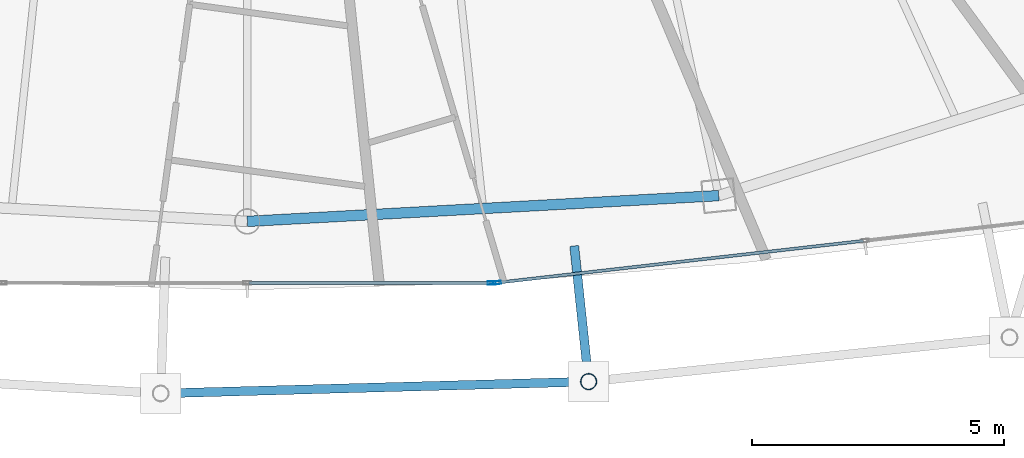
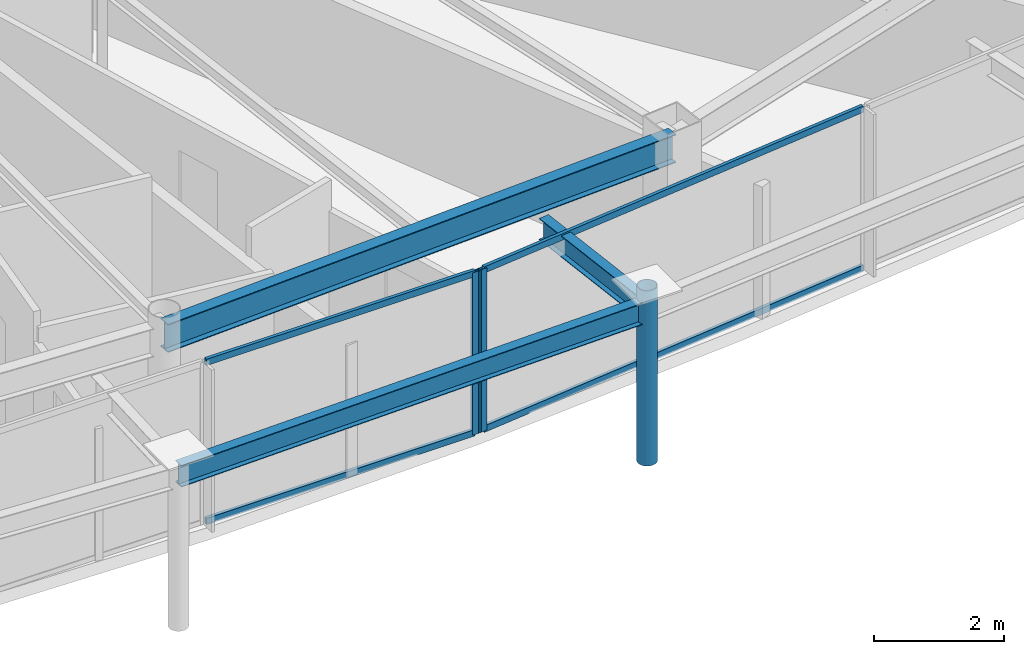
# One storey, part 8 of 28: 7 members, 3 beams, 2 elements without a shape of their own.
"""IFC4 building model written with IfcOpenShell, lengths in metres."""

from ifc_helpers import new_model, si_unit, direction, frame, origin, origin_2d, place, context, subcontext, project, spatial, hollow_rectangle, hollow_circle, i_section, extrude, material, layer, layer_set, material_profile, profile_set, type_object, element, aggregate, save


model = new_model("IFC4")

# Units and contexts
model_context = context("Model", 3, precision=1e-05, world=origin(), true_north=direction((0.0, 1.0)))
body_context = subcontext(model_context, "Body", "Model", "MODEL_VIEW")
ifc_project = project(units=[si_unit("LENGTHUNIT", "METRE"), si_unit("AREAUNIT", "SQUARE_METRE"), si_unit("VOLUMEUNIT", "CUBIC_METRE"), si_unit("PLANEANGLEUNIT", "RADIAN"), si_unit("MASSUNIT", "GRAM", prefix="KILO")], contexts=[model_context])

# Site, building, storey
site_placement = place(None, origin())
site = spatial("IfcSite", under=ifc_project, at=site_placement, CompositionType="ELEMENT")
building_placement = place(site_placement, origin())
building = spatial("IfcBuilding", under=site, at=building_placement, Name="Orvanel Arch Residences", CompositionType="ELEMENT")
storey_placement = place(building_placement, frame((0.0, 0.0, 266.75)))
storey = spatial("IfcBuildingStorey", under=building, at=storey_placement, Name="L76", CompositionType="ELEMENT", Elevation=266.75)

# Curtain wall, member
ifc_material_1 = material(Name="Bronze-anodised aluminium AA6063-T6", Category="aluminium")
ifc_layer = layer(ifc_material_1, 0.175048828125)
ifc_layer_set = layer_set([ifc_layer], Name="Bronze-anodised aluminium AA6063-T6")
curtain_wall_type = type_object("IfcCurtainWallType", Name="CW4-HI-SYS", PredefinedType="NOTDEFINED", material=ifc_layer_set)
curtain_wall_1_placement = place(storey_placement, origin())
curtain_wall_1 = element("IfcCurtainWall", 1, at=curtain_wall_1_placement, inside=storey, type_object=curtain_wall_type, Name="L76 CW4-HI-SYS Unitised Curtain Wall", PredefinedType="NOTDEFINED")
ifc_material_profile_1 = material_profile(ifc_material_1, hollow_rectangle(XDim=0.06494140625, YDim=0.159912109375, WallThickness=0.00390625, at=origin_2d()), Name="ALU160x65x4")
ifc_profile_set_1 = profile_set([ifc_material_profile_1], Name="Bronze-anodised aluminium AA6063-T6")
member_type_1 = type_object("IfcMemberType", Name="MUL-160x65", PredefinedType="MULLION", material=ifc_profile_set_1)
member_1_placement = place(storey_placement, frame((37.848388671875, 5.6220703125, 0.0), z_axis=(0.0, 0.0, 1.0), x_axis=(0.0, 1.0, 0.0)))
member_1 = element("IfcMember", 2, at=member_1_placement, type_object=member_type_1, Name="CW-S4 mullion 3", PredefinedType="MULLION", context=body_context, shape_type="SweptSolid", body=[
    extrude(hollow_rectangle(XDim=0.06494140625, YDim=0.159912109375, WallThickness=0.00390625, at=origin_2d()), origin(), (0.0, 0.0, 1.0), 3.06005859375),
])

curtain_wall_2_placement = place(storey_placement, origin())
curtain_wall_2 = element("IfcCurtainWall", 3, at=curtain_wall_2_placement, inside=storey, type_object=curtain_wall_type, Name="L76 CW4-HI-SYS Unitised Curtain Wall", PredefinedType="NOTDEFINED")
member_2_placement = place(storey_placement, frame((37.953369140625, 5.627685546875, 0.0), z_axis=(0.0, 0.0, 1.0), x_axis=(-0.113510277415, 0.993536822126, 0.0)))
member_2 = element("IfcMember", 4, at=member_2_placement, type_object=member_type_1, Name="CW-S4 mullion 1", PredefinedType="MULLION", context=body_context, shape_type="SweptSolid", body=[
    extrude(hollow_rectangle(XDim=0.06494140625, YDim=0.159912109375, WallThickness=0.00390625, at=origin_2d()), origin(), (0.0, 0.0, 1.0), 3.06005859375),
])

# Beams
ifc_material_2 = material(Name="Structural steel AS/NZS 3679.1 Grade 300 (300 MPa)", Category="steel")
ifc_material_profile_2 = material_profile(ifc_material_2, i_section(OverallWidth=0.177978515625, OverallDepth=0.406005859375, WebThickness=0.0078125, FlangeThickness=0.0126953125, at=origin_2d()), Name="410UB59.7")
ifc_profile_set_2 = profile_set([ifc_material_profile_2], Name="Structural steel AS/NZS 3679.1 Grade 300 (300 MPa)")
beam_type_1 = type_object("IfcBeamType", Name="OB-410UB-EXT", PredefinedType="SPANDREL", material=ifc_profile_set_2)
beam_1_placement = place(storey_placement, frame((31.281005859375, 3.430908203125, 2.85693359375), z_axis=(0.999619963496, 0.027566802156, 0.0), x_axis=(-0.027566802156, 0.999619963496, 0.0)))
element("IfcBeam", 5, at=beam_1_placement, inside=storey, type_object=beam_type_1, Name="L76 Outer Perimeter Floor Ring Beam 06", PredefinedType="SPANDREL", context=body_context, shape_type="SweptSolid", body=[
    extrude(i_section(OverallWidth=0.177978515625, OverallDepth=0.406005859375, WebThickness=0.0078125, FlangeThickness=0.0126953125, at=origin_2d()), origin(), (0.0, 0.0, 1.0), 8.4931640625),
])
beam_2_placement = place(storey_placement, frame((39.485107421875, 6.35791015625, 2.85693359375), z_axis=(0.105571721703, -0.994411691191, 0.0), x_axis=(0.994411691191, 0.105571721703, 0.0)))
element("IfcBeam", 6, at=beam_2_placement, inside=storey, type_object=beam_type_1, Name="L76 Outer Frame Radial Tie Beam 07", PredefinedType="SPANDREL", context=body_context, shape_type="SweptSolid", body=[
    extrude(i_section(OverallWidth=0.177978515625, OverallDepth=0.406005859375, WebThickness=0.0078125, FlangeThickness=0.0126953125, at=origin_2d()), origin(), (0.0, 0.0, 1.0), 2.7080078125),
])
ifc_material_profile_3 = material_profile(ifc_material_2, i_section(OverallWidth=0.208984375, OverallDepth=0.532958984375, WebThickness=0.01025390625, FlangeThickness=0.015625, at=origin_2d()), Name="530UB92.4")
ifc_profile_set_3 = profile_set([ifc_material_profile_3], Name="Structural steel AS/NZS 3679.1 Grade 300 (300 MPa)")
beam_type_2 = type_object("IfcBeamType", Name="SP-530UB", PredefinedType="SPANDREL", material=ifc_profile_set_3)
beam_3_placement = place(storey_placement, frame((33.0, 6.843994140625, 2.79296875), z_axis=(0.998510315598, 0.054563262768, 0.0), x_axis=(-0.054563262768, 0.998510315598, 0.0)))
element("IfcBeam", 7, at=beam_3_placement, inside=storey, type_object=beam_type_2, Name="L76 Perimeter Spandrel Beam 04", PredefinedType="SPANDREL", context=body_context, shape_type="SweptSolid", body=[
    extrude(i_section(OverallWidth=0.208984375, OverallDepth=0.532958984375, WebThickness=0.01025390625, FlangeThickness=0.015625, at=origin_2d()), origin(), (0.0, 0.0, 1.0), 9.364990234375),
])

# Member
ifc_material_3 = material(Name="Structural steel AS/NZS 1163 C350L0 (Grade 350)", Category="steel")
ifc_material_profile_4 = material_profile(ifc_material_3, hollow_circle(Radius=0.162109375, WallThickness=0.0126953125, at=origin_2d()), Name="CHS324x12.7")
ifc_profile_set_4 = profile_set([ifc_material_profile_4], Name="Structural steel AS/NZS 1163 C350L0 (Grade 350)")
member_type_2 = type_object("IfcMemberType", Name="ST-324CHS-EXT", PredefinedType="STRUT", material=ifc_profile_set_4)
member_3_placement = place(storey_placement, frame((39.77099609375, 3.6650390625, 0.0), z_axis=(0.0, 0.0, 1.0), x_axis=(1.0, 0.0, 0.0)))
element("IfcMember", 8, at=member_3_placement, inside=storey, type_object=member_type_2, Name="L76 Outer Perimeter Frame Post 07", PredefinedType="STRUT", context=body_context, shape_type="SweptSolid", body=[
    extrude(hollow_circle(Radius=0.162109375, WallThickness=0.0126953125, at=origin_2d()), origin(), (0.0, 0.0, 1.0), 3.300048828125),
])

ifc_material_profile_5 = material_profile(ifc_material_1, hollow_rectangle(XDim=0.06005859375, YDim=0.1201171875, WallThickness=0.00341796875, at=origin_2d()), Name="ALU120x60x3.5")
ifc_profile_set_5 = profile_set([ifc_material_profile_5], Name="Bronze-anodised aluminium AA6063-T6")
member_type_3 = type_object("IfcMemberType", Name="TRN-120x60", PredefinedType="USERDEFINED", material=ifc_profile_set_5)
member_4_placement = place(storey_placement, frame((33.032470703125, 5.6220703125, 0.030029296875), z_axis=(1.0, 0.0, 0.0), x_axis=(0.0, 1.0, 0.0)))
member_4 = element("IfcMember", 9, at=member_4_placement, type_object=member_type_3, Name="CW-S4 transom 2.1", ObjectType="TRANSOM", PredefinedType="USERDEFINED", context=body_context, shape_type="SweptSolid", body=[
    extrude(hollow_rectangle(XDim=0.06005859375, YDim=0.1201171875, WallThickness=0.00341796875, at=origin_2d()), origin(), (0.0, 0.0, 1.0), 4.783447265625),
])

member_5_placement = place(storey_placement, frame((33.032470703125, 5.6220703125, 3.030029296875), z_axis=(1.0, 0.0, 0.0), x_axis=(0.0, 1.0, 0.0)))
member_5 = element("IfcMember", 10, at=member_5_placement, type_object=member_type_3, Name="CW-S4 transom 2.2", ObjectType="TRANSOM", PredefinedType="USERDEFINED", context=body_context, shape_type="SweptSolid", body=[
    extrude(hollow_rectangle(XDim=0.06005859375, YDim=0.1201171875, WallThickness=0.00341796875, at=origin_2d()), origin(), (0.0, 0.0, 1.0), 4.783447265625),
])

aggregate(curtain_wall_1, [member_1, member_4, member_5])

member_6_placement = place(storey_placement, frame((37.985595703125, 5.63134765625, 0.030029296875), z_axis=(0.993537103282, 0.113507816484, 0.0), x_axis=(-0.113507816484, 0.993537103282, 0.0)))
member_6 = element("IfcMember", 11, at=member_6_placement, type_object=member_type_3, Name="CW-S4 transom 1.1", ObjectType="TRANSOM", PredefinedType="USERDEFINED", context=body_context, shape_type="SweptSolid", body=[
    extrude(hollow_rectangle(XDim=0.06005859375, YDim=0.1201171875, WallThickness=0.00341796875, at=origin_2d()), origin(), (0.0, 0.0, 1.0), 7.28076171875),
])

member_7_placement = place(storey_placement, frame((37.985595703125, 5.63134765625, 3.030029296875), z_axis=(0.993537103282, 0.113507816484, 0.0), x_axis=(-0.113507816484, 0.993537103282, 0.0)))
member_7 = element("IfcMember", 12, at=member_7_placement, type_object=member_type_3, Name="CW-S4 transom 1.2", ObjectType="TRANSOM", PredefinedType="USERDEFINED", context=body_context, shape_type="SweptSolid", body=[
    extrude(hollow_rectangle(XDim=0.06005859375, YDim=0.1201171875, WallThickness=0.00341796875, at=origin_2d()), origin(), (0.0, 0.0, 1.0), 7.28076171875),
])

aggregate(curtain_wall_2, [member_2, member_6, member_7])

save(model, "model.ifc")
